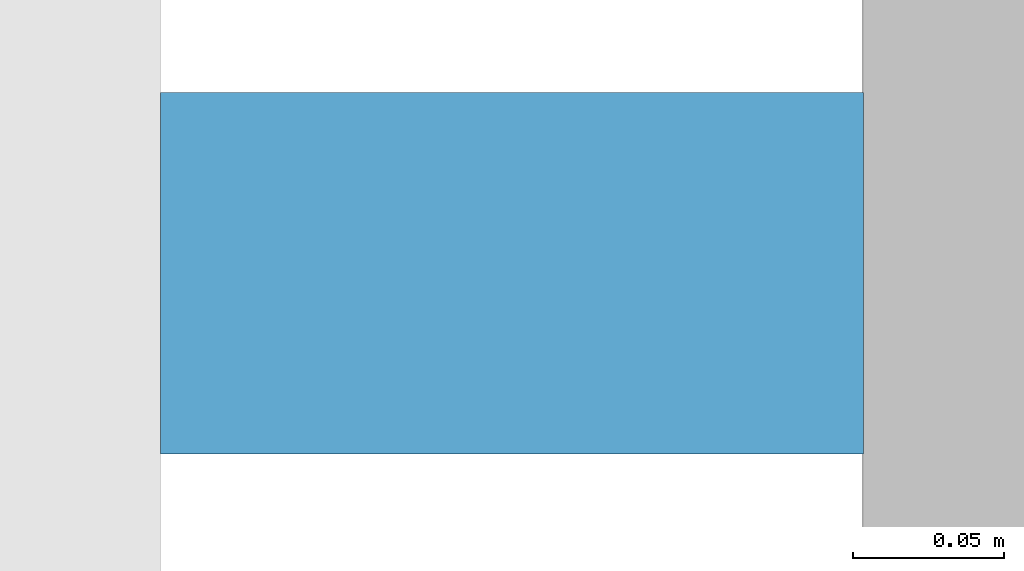
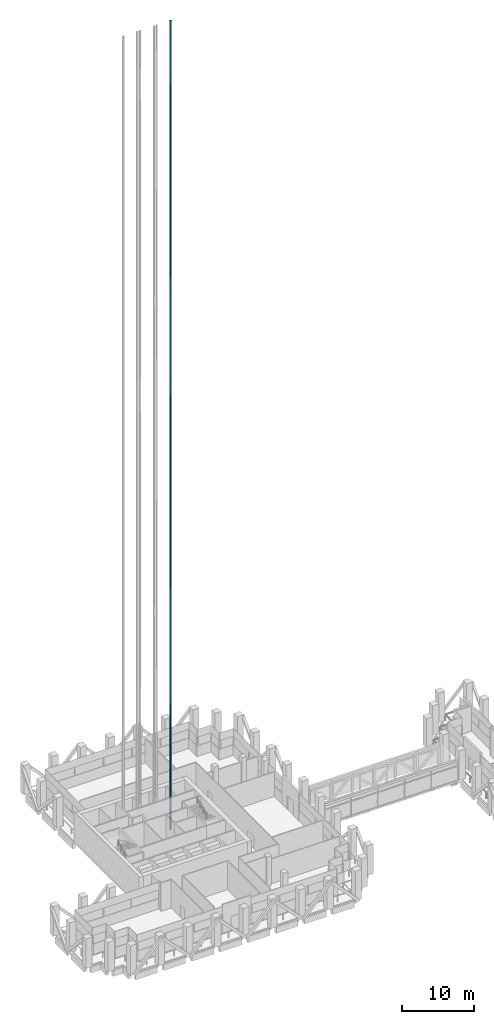
# One storey, part 43 of 48: 1 discrete accessory.
"""IFC4 building model written with IfcOpenShell, lengths in metres."""

from ifc_helpers import new_model, si_unit, direction, frame, origin, origin_2d, place, context, subcontext, project, spatial, rectangle, extrude, element, save


model = new_model("IFC4")

# Units and contexts
model_context = context("Model", 3, precision=1e-05, world=origin(), true_north=direction((0.0, 1.0)))
body_context = subcontext(model_context, "Body", "Model", "MODEL_VIEW")
ifc_project = project(units=[si_unit("LENGTHUNIT", "METRE"), si_unit("AREAUNIT", "SQUARE_METRE"), si_unit("VOLUMEUNIT", "CUBIC_METRE"), si_unit("PLANEANGLEUNIT", "RADIAN"), si_unit("MASSUNIT", "GRAM", prefix="KILO")], contexts=[model_context])

# Site, building, storey
site_placement = place(None, origin())
site = spatial("IfcSite", under=ifc_project, at=site_placement, CompositionType="ELEMENT")
building_placement = place(site_placement, origin())
building = spatial("IfcBuilding", under=site, at=building_placement, Name="Altepetl Exchange Towers", CompositionType="ELEMENT")
storey_placement = place(building_placement, frame((0.0, 0.0, 138.800048828125)))
storey = spatial("IfcBuildingStorey", under=building, at=storey_placement, Name="L34 Refuge and sky lobby", CompositionType="ELEMENT", Elevation=138.800048828125)

# Discrete accessory
discrete_accessory_placement = place(storey_placement, frame((54.61669921875, 56.199951171875, -1.60009765625)))
element("IfcDiscreteAccessory", 1, at=discrete_accessory_placement, inside=storey, Name="Guide rail P7", ObjectType="GUIDE RAIL", PredefinedType="USERDEFINED", context=body_context, shape_type="SweptSolid", body=[
    extrude(rectangle(XDim=0.2333984375, YDim=0.1201171875, at=origin_2d()), origin(), (0.0, 0.0, 1.0), 136.85009765625),
])

save(model, "model.ifc")
